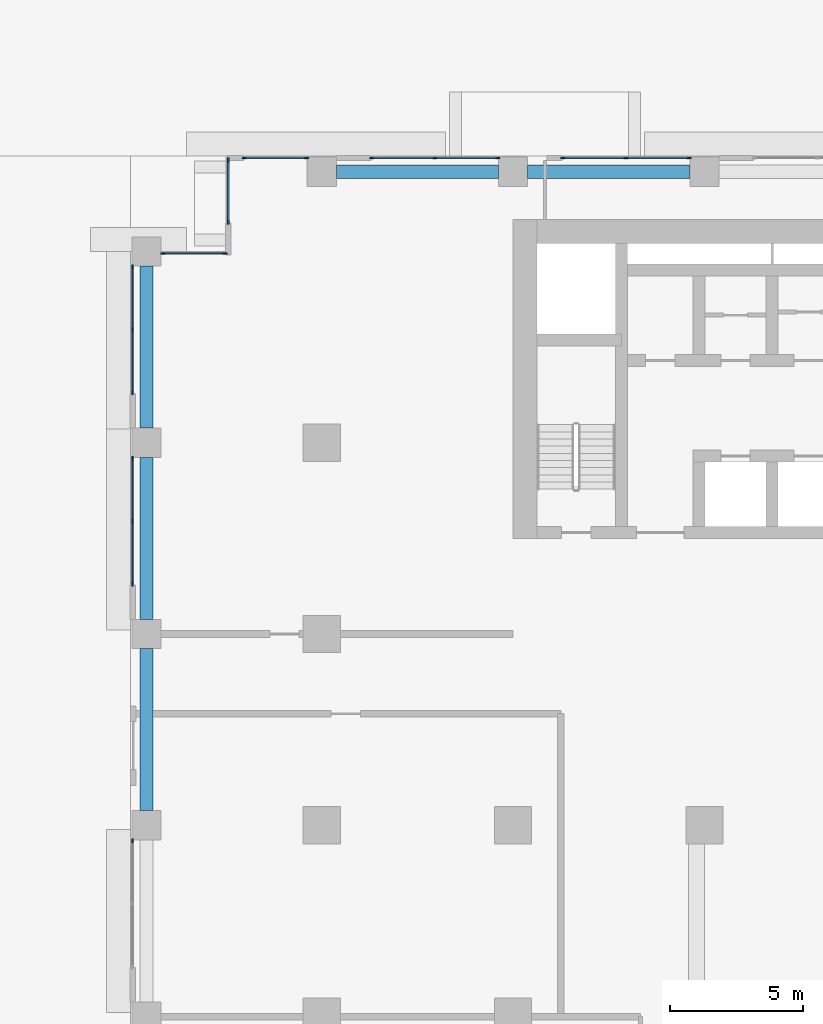
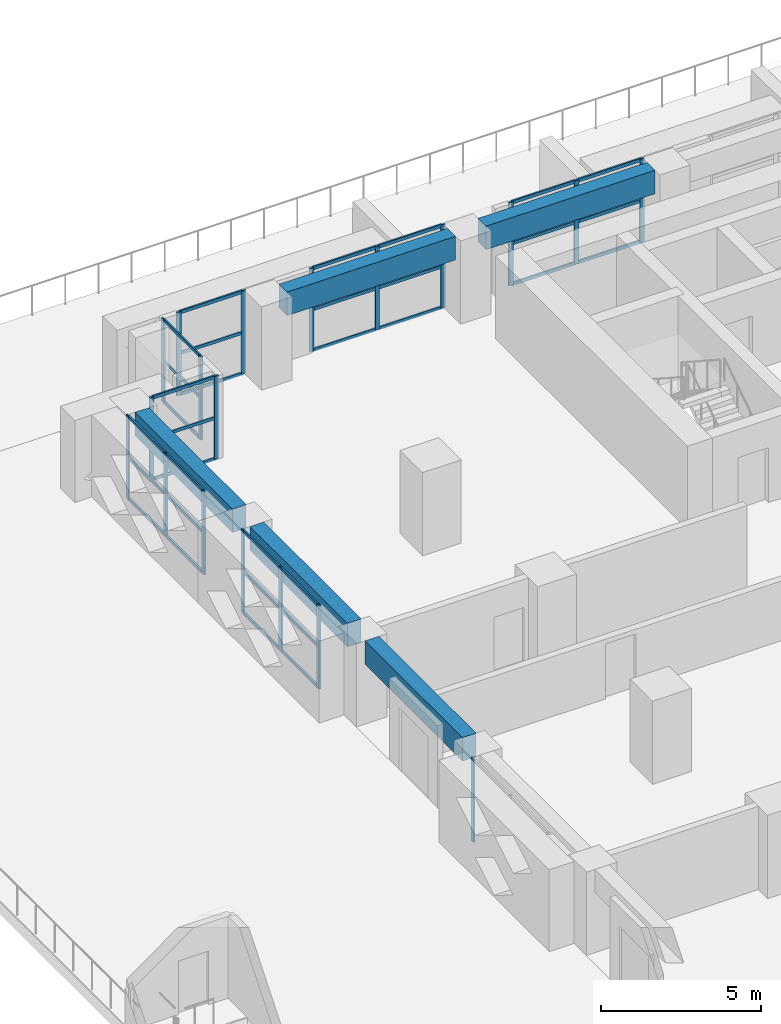
# One storey, part 5 of 24: 52 members, 5 beams, 8 elements without a shape of their own.
"""IFC4 building model written with IfcOpenShell, lengths in metres."""

from ifc_helpers import new_model, si_unit, direction, frame, origin, origin_2d, place, context, subcontext, project, spatial, rectangle, extrude, source, transform, mapped, material, layer, layer_set, material_profile, profile_set, type_object, element, aggregate, save


model = new_model("IFC4")

# Units and contexts
model_context = context("Model", 3, precision=1e-05, world=origin(), true_north=direction((0.0, 1.0)))
body_context = subcontext(model_context, "Body", "Model", "MODEL_VIEW")
ifc_project = project(units=[si_unit("LENGTHUNIT", "METRE"), si_unit("AREAUNIT", "SQUARE_METRE"), si_unit("VOLUMEUNIT", "CUBIC_METRE"), si_unit("PLANEANGLEUNIT", "RADIAN"), si_unit("MASSUNIT", "GRAM", prefix="KILO")], contexts=[model_context])

# Site, building, storey
site_placement = place(None, origin())
site = spatial("IfcSite", under=ifc_project, at=site_placement, CompositionType="ELEMENT")
building_placement = place(site_placement, origin())
building = spatial("IfcBuilding", under=site, at=building_placement, Name="Saffron Iwan Residences", CompositionType="ELEMENT")
storey_placement = place(building_placement, frame((0.0, 0.0, 27.0)))
storey = spatial("IfcBuildingStorey", under=building, at=storey_placement, Name="L05", CompositionType="ELEMENT", Elevation=27.0)

# Beams
ifc_material_1 = material(Name="Concrete C60/75", Category="concrete")
ifc_material_profile_1 = material_profile(ifc_material_1, rectangle(XDim=0.5, YDim=0.89990234375, at=origin_2d()), Name="RC 500x900")
ifc_profile_set_1 = profile_set([ifc_material_profile_1], Name="Concrete C60/75")
beam_type = type_object("IfcBeamType", Name="SPANDREL BEAM RC 500x900 C60/75 TOP 3180", PredefinedType="SPANDREL", material=ifc_profile_set_1)
shared_shape_1 = source(origin(), body_context, "Body", "SweptSolid", [
    extrude(rectangle(XDim=0.5, YDim=0.89990234375, at=origin_2d()), origin(), (0.0, 0.0, 1.0), 6.10009765625),
])
for number, where, z_axis, x_axis, name in (
    (1, (15.0, 55.75, 2.72998046875), (0.0, 1.0, 0.0), (-1.0, 0.0, 0.0), "Spandrel beam"),
    (2, (15.0, 62.949951171875, 2.72998046875), (0.0, 1.0, 0.0), (-1.0, 0.0, 0.0), "Spandrel beam"),
    (3, (15.0, 70.14990234375, 2.72998046875), (0.0, 1.0, 0.0), (-1.0, 0.0, 0.0), "Spandrel beam"),
    (4, (22.14990234375, 79.800048828125, 2.72998046875), (1.0, 0.0, 0.0), (0.0, 1.0, 0.0), "Spandrel beam"),
):
    element("IfcBeam", number, at=place(storey_placement, frame(where, z_axis=z_axis, x_axis=x_axis)), inside=storey, type_object=beam_type, Name=name, PredefinedType="SPANDREL", context=body_context, shape_type="MappedRepresentation", body=[
        mapped(shared_shape_1, transform((0.0, 0.0, 0.0))),
    ])
shared_shape_2 = source(origin(), body_context, "Body", "SweptSolid", [
    extrude(rectangle(XDim=0.5, YDim=0.89990234375, at=origin_2d()), origin(), (0.0, 0.0, 1.0), 6.099853515625),
])
beam_placement = place(storey_placement, frame((29.35009765625, 79.800048828125, 2.72998046875), z_axis=(1.0, 0.0, 0.0), x_axis=(0.0, 1.0, 0.0)))
element("IfcBeam", 5, at=beam_placement, inside=storey, type_object=beam_type, Name="Spandrel beam", PredefinedType="SPANDREL", context=body_context, shape_type="MappedRepresentation", body=[
    mapped(shared_shape_2, transform((0.0, 0.0, 0.0))),
])

# Curtain wall, members
ifc_material_2 = material(Name="Clear glass, laminated double glazed", Category="glass")
ifc_layer = layer(ifc_material_2, 0.14990234375)
ifc_layer_set = layer_set([ifc_layer], Name="Clear glass, laminated double glazed")
curtain_wall_type = type_object("IfcCurtainWallType", Name="CW-D GARDEN FLOOR GLAZING", PredefinedType="NOTDEFINED", material=ifc_layer_set)
curtain_wall_1_placement = place(storey_placement, origin())
curtain_wall_1 = element("IfcCurtainWall", 6, at=curtain_wall_1_placement, inside=storey, type_object=curtain_wall_type, Name="Glazing L05 F5.7", PredefinedType="NOTDEFINED")
ifc_material_3 = material(Name="Aluminium 6063-T6", Category="aluminium")
ifc_material_profile_2 = material_profile(ifc_material_3, rectangle(XDim=0.06005859375, YDim=0.159912109375, at=origin_2d()), Name="CW-D MULLION 60 x 160")
ifc_profile_set_2 = profile_set([ifc_material_profile_2], Name="Aluminium 6063-T6")
member_type_1 = type_object("IfcMemberType", Name="CW-D MULLION 60 x 160", PredefinedType="MULLION", material=ifc_profile_set_2)
shared_shape_3 = source(origin(), body_context, "Body", "SweptSolid", [
    extrude(rectangle(XDim=0.06005859375, YDim=0.159912109375, at=origin_2d()), origin(), (0.0, 0.0, 1.0), 3.179931640625),
])
member_1_placement = place(storey_placement, frame((35.419921875, 80.320068359375, 0.0), z_axis=(0.0, 0.0, 1.0), x_axis=(0.0, -1.0, 0.0)))
member_1 = element("IfcMember", 7, at=member_1_placement, type_object=member_type_1, Name="CW-D mullion 1", PredefinedType="MULLION", context=body_context, shape_type="MappedRepresentation", body=[
    mapped(shared_shape_3, transform((0.0, 0.0, 0.0))),
])
member_2_placement = place(storey_placement, frame((33.050048828125, 80.320068359375, 0.0), z_axis=(0.0, 0.0, 1.0), x_axis=(0.0, -1.0, 0.0)))
member_2 = element("IfcMember", 8, at=member_2_placement, type_object=member_type_1, Name="CW-D mullion 2", PredefinedType="MULLION", context=body_context, shape_type="MappedRepresentation", body=[
    mapped(shared_shape_3, transform((0.0, 0.0, 0.0))),
])
member_3_placement = place(storey_placement, frame((30.679931640625, 80.320068359375, 0.0), z_axis=(0.0, 0.0, 1.0), x_axis=(0.0, -1.0, 0.0)))
member_3 = element("IfcMember", 9, at=member_3_placement, type_object=member_type_1, Name="CW-D mullion 3", PredefinedType="MULLION", context=body_context, shape_type="MappedRepresentation", body=[
    mapped(shared_shape_3, transform((0.0, 0.0, 0.0))),
])

curtain_wall_2_placement = place(storey_placement, origin())
curtain_wall_2 = element("IfcCurtainWall", 10, at=curtain_wall_2_placement, inside=storey, type_object=curtain_wall_type, Name="Glazing L05 F5.8", PredefinedType="NOTDEFINED")
member_4_placement = place(storey_placement, frame((28.219970703125, 80.320068359375, 0.0), z_axis=(0.0, 0.0, 1.0), x_axis=(0.0, -1.0, 0.0)))
member_4 = element("IfcMember", 11, at=member_4_placement, type_object=member_type_1, Name="CW-D mullion 1", PredefinedType="MULLION", context=body_context, shape_type="MappedRepresentation", body=[
    mapped(shared_shape_3, transform((0.0, 0.0, 0.0))),
])
member_5_placement = place(storey_placement, frame((25.85009765625, 80.320068359375, 0.0), z_axis=(0.0, 0.0, 1.0), x_axis=(0.0, -1.0, 0.0)))
member_5 = element("IfcMember", 12, at=member_5_placement, type_object=member_type_1, Name="CW-D mullion 2", PredefinedType="MULLION", context=body_context, shape_type="MappedRepresentation", body=[
    mapped(shared_shape_3, transform((0.0, 0.0, 0.0))),
])
member_6_placement = place(storey_placement, frame((23.47998046875, 80.320068359375, 0.0), z_axis=(0.0, 0.0, 1.0), x_axis=(0.0, -1.0, 0.0)))
member_6 = element("IfcMember", 13, at=member_6_placement, type_object=member_type_1, Name="CW-D mullion 3", PredefinedType="MULLION", context=body_context, shape_type="MappedRepresentation", body=[
    mapped(shared_shape_3, transform((0.0, 0.0, 0.0))),
])

curtain_wall_3_placement = place(storey_placement, origin())
curtain_wall_3 = element("IfcCurtainWall", 14, at=curtain_wall_3_placement, inside=storey, type_object=curtain_wall_type, Name="Glazing L05 F5.9", PredefinedType="NOTDEFINED")
member_7_placement = place(storey_placement, frame((21.02001953125, 80.320068359375, 0.0), z_axis=(0.0, 0.0, 1.0), x_axis=(0.0, -1.0, 0.0)))
member_7 = element("IfcMember", 15, at=member_7_placement, type_object=member_type_1, Name="CW-D mullion 1", PredefinedType="MULLION", context=body_context, shape_type="MappedRepresentation", body=[
    mapped(shared_shape_3, transform((0.0, 0.0, 0.0))),
])
member_8_placement = place(storey_placement, frame((18.679931640625, 80.320068359375, 0.0), z_axis=(0.0, 0.0, 1.0), x_axis=(0.0, -1.0, 0.0)))
member_8 = element("IfcMember", 16, at=member_8_placement, type_object=member_type_1, Name="CW-D mullion 2", PredefinedType="MULLION", context=body_context, shape_type="MappedRepresentation", body=[
    mapped(shared_shape_3, transform((0.0, 0.0, 0.0))),
])

curtain_wall_4_placement = place(storey_placement, origin())
curtain_wall_4 = element("IfcCurtainWall", 17, at=curtain_wall_4_placement, inside=storey, type_object=curtain_wall_type, Name="Glazing L05 F6.0", PredefinedType="NOTDEFINED")
member_9_placement = place(storey_placement, frame((18.080078125, 80.239990234375, 0.0), z_axis=(0.0, 0.0, 1.0), x_axis=(1.0, 0.0, 0.0)))
member_9 = element("IfcMember", 18, at=member_9_placement, type_object=member_type_1, Name="CW-D mullion 1", PredefinedType="MULLION", context=body_context, shape_type="MappedRepresentation", body=[
    mapped(shared_shape_3, transform((0.0, 0.0, 0.0))),
])
member_10_placement = place(storey_placement, frame((18.080078125, 77.89990234375, 0.0), z_axis=(0.0, 0.0, 1.0), x_axis=(1.0, 0.0, 0.0)))
member_10 = element("IfcMember", 19, at=member_10_placement, type_object=member_type_1, Name="CW-D mullion 2", PredefinedType="MULLION", context=body_context, shape_type="MappedRepresentation", body=[
    mapped(shared_shape_3, transform((0.0, 0.0, 0.0))),
])

curtain_wall_5_placement = place(storey_placement, origin())
curtain_wall_5 = element("IfcCurtainWall", 20, at=curtain_wall_5_placement, inside=storey, type_object=curtain_wall_type, Name="Glazing L05 F7.0", PredefinedType="NOTDEFINED")
member_11_placement = place(storey_placement, frame((17.9599609375, 76.719970703125, 0.0), z_axis=(0.0, 0.0, 1.0), x_axis=(0.0, -1.0, 0.0)))
member_11 = element("IfcMember", 21, at=member_11_placement, type_object=member_type_1, Name="CW-D mullion 1", PredefinedType="MULLION", context=body_context, shape_type="MappedRepresentation", body=[
    mapped(shared_shape_3, transform((0.0, 0.0, 0.0))),
])
member_12_placement = place(storey_placement, frame((15.6201171875, 76.719970703125, 0.0), z_axis=(0.0, 0.0, 1.0), x_axis=(0.0, -1.0, 0.0)))
member_12 = element("IfcMember", 22, at=member_12_placement, type_object=member_type_1, Name="CW-D mullion 2", PredefinedType="MULLION", context=body_context, shape_type="MappedRepresentation", body=[
    mapped(shared_shape_3, transform((0.0, 0.0, 0.0))),
])

curtain_wall_6_placement = place(storey_placement, origin())
curtain_wall_6 = element("IfcCurtainWall", 23, at=curtain_wall_6_placement, inside=storey, type_object=curtain_wall_type, Name="Glazing L05 F8.0", PredefinedType="NOTDEFINED")
member_13_placement = place(storey_placement, frame((14.47998046875, 76.219970703125, 0.0), z_axis=(0.0, 0.0, 1.0), x_axis=(1.0, 0.0, 0.0)))
member_13 = element("IfcMember", 24, at=member_13_placement, type_object=member_type_1, Name="CW-D mullion 1", PredefinedType="MULLION", context=body_context, shape_type="MappedRepresentation", body=[
    mapped(shared_shape_3, transform((0.0, 0.0, 0.0))),
])
member_14_placement = place(storey_placement, frame((14.47998046875, 73.85009765625, 0.0), z_axis=(0.0, 0.0, 1.0), x_axis=(1.0, 0.0, 0.0)))
member_14 = element("IfcMember", 25, at=member_14_placement, type_object=member_type_1, Name="CW-D mullion 2", PredefinedType="MULLION", context=body_context, shape_type="MappedRepresentation", body=[
    mapped(shared_shape_3, transform((0.0, 0.0, 0.0))),
])
member_15_placement = place(storey_placement, frame((14.47998046875, 71.47998046875, 0.0), z_axis=(0.0, 0.0, 1.0), x_axis=(1.0, 0.0, 0.0)))
member_15 = element("IfcMember", 26, at=member_15_placement, type_object=member_type_1, Name="CW-D mullion 3", PredefinedType="MULLION", context=body_context, shape_type="MappedRepresentation", body=[
    mapped(shared_shape_3, transform((0.0, 0.0, 0.0))),
])

curtain_wall_7_placement = place(storey_placement, origin())
curtain_wall_7 = element("IfcCurtainWall", 27, at=curtain_wall_7_placement, inside=storey, type_object=curtain_wall_type, Name="Glazing L05 F8.1", PredefinedType="NOTDEFINED")
member_16_placement = place(storey_placement, frame((14.47998046875, 69.02001953125, 0.0), z_axis=(0.0, 0.0, 1.0), x_axis=(1.0, 0.0, 0.0)))
member_16 = element("IfcMember", 28, at=member_16_placement, type_object=member_type_1, Name="CW-D mullion 1", PredefinedType="MULLION", context=body_context, shape_type="MappedRepresentation", body=[
    mapped(shared_shape_3, transform((0.0, 0.0, 0.0))),
])
member_17_placement = place(storey_placement, frame((14.47998046875, 66.64990234375, 0.0), z_axis=(0.0, 0.0, 1.0), x_axis=(1.0, 0.0, 0.0)))
member_17 = element("IfcMember", 29, at=member_17_placement, type_object=member_type_1, Name="CW-D mullion 2", PredefinedType="MULLION", context=body_context, shape_type="MappedRepresentation", body=[
    mapped(shared_shape_3, transform((0.0, 0.0, 0.0))),
])
member_18_placement = place(storey_placement, frame((14.47998046875, 64.280029296875, 0.0), z_axis=(0.0, 0.0, 1.0), x_axis=(1.0, 0.0, 0.0)))
member_18 = element("IfcMember", 30, at=member_18_placement, type_object=member_type_1, Name="CW-D mullion 3", PredefinedType="MULLION", context=body_context, shape_type="MappedRepresentation", body=[
    mapped(shared_shape_3, transform((0.0, 0.0, 0.0))),
])

# Curtain wall, member
curtain_wall_8_placement = place(storey_placement, origin())
curtain_wall_8 = element("IfcCurtainWall", 31, at=curtain_wall_8_placement, inside=storey, type_object=curtain_wall_type, Name="Glazing L05 F8.3", PredefinedType="NOTDEFINED")
member_19_placement = place(storey_placement, frame((14.47998046875, 54.6201171875, 0.0), z_axis=(0.0, 0.0, 1.0), x_axis=(1.0, 0.0, 0.0)))
member_19 = element("IfcMember", 32, at=member_19_placement, type_object=member_type_1, Name="CW-D mullion 1", PredefinedType="MULLION", context=body_context, shape_type="MappedRepresentation", body=[
    mapped(shared_shape_3, transform((0.0, 0.0, 0.0))),
])
aggregate(curtain_wall_8, [member_19])

# Member
ifc_material_profile_3 = material_profile(ifc_material_3, rectangle(XDim=0.06005859375, YDim=0.1201171875, at=origin_2d()), Name="CW-D TRANSOM 60 x 120")
ifc_profile_set_3 = profile_set([ifc_material_profile_3], Name="Aluminium 6063-T6")
member_type_2 = type_object("IfcMemberType", Name="CW-D TRANSOM 60 x 120", PredefinedType="USERDEFINED", material=ifc_profile_set_3)
shared_shape_4 = source(origin(), body_context, "Body", "SweptSolid", [
    extrude(rectangle(XDim=0.06005859375, YDim=0.1201171875, at=origin_2d()), origin(), (0.0, 0.0, 1.0), 2.280029296875),
])
member_20_placement = place(storey_placement, frame((20.989990234375, 80.320068359375, 0.030029296875), z_axis=(-1.0, 0.0, 0.0), x_axis=(0.0, -1.0, 0.0)))
member_20 = element("IfcMember", 33, at=member_20_placement, type_object=member_type_2, Name="CW-D transom 1.1", ObjectType="TRANSOM", PredefinedType="USERDEFINED", context=body_context, shape_type="MappedRepresentation", body=[
    mapped(shared_shape_4, transform((0.0, 0.0, 0.0))),
])

member_21_placement = place(storey_placement, frame((20.989990234375, 80.320068359375, 1.590087890625), z_axis=(-1.0, 0.0, 0.0), x_axis=(0.0, -1.0, 0.0)))
member_21 = element("IfcMember", 34, at=member_21_placement, type_object=member_type_2, Name="CW-D transom 1.2", ObjectType="TRANSOM", PredefinedType="USERDEFINED", context=body_context, shape_type="MappedRepresentation", body=[
    mapped(shared_shape_4, transform((0.0, 0.0, 0.0))),
])

member_22_placement = place(storey_placement, frame((20.989990234375, 80.320068359375, 3.14990234375), z_axis=(-1.0, 0.0, 0.0), x_axis=(0.0, -1.0, 0.0)))
member_22 = element("IfcMember", 35, at=member_22_placement, type_object=member_type_2, Name="CW-D transom 1.3", ObjectType="TRANSOM", PredefinedType="USERDEFINED", context=body_context, shape_type="MappedRepresentation", body=[
    mapped(shared_shape_4, transform((0.0, 0.0, 0.0))),
])

aggregate(curtain_wall_3, [member_7, member_8, member_20, member_21, member_22])

member_23_placement = place(storey_placement, frame((18.080078125, 80.2099609375, 0.030029296875), z_axis=(0.0, -1.0, 0.0), x_axis=(1.0, 0.0, 0.0)))
member_23 = element("IfcMember", 36, at=member_23_placement, type_object=member_type_2, Name="CW-D transom 1.1", ObjectType="TRANSOM", PredefinedType="USERDEFINED", context=body_context, shape_type="MappedRepresentation", body=[
    mapped(shared_shape_4, transform((0.0, 0.0, 0.0))),
])

member_24_placement = place(storey_placement, frame((18.080078125, 80.2099609375, 1.590087890625), z_axis=(0.0, -1.0, 0.0), x_axis=(1.0, 0.0, 0.0)))
member_24 = element("IfcMember", 37, at=member_24_placement, type_object=member_type_2, Name="CW-D transom 1.2", ObjectType="TRANSOM", PredefinedType="USERDEFINED", context=body_context, shape_type="MappedRepresentation", body=[
    mapped(shared_shape_4, transform((0.0, 0.0, 0.0))),
])

member_25_placement = place(storey_placement, frame((18.080078125, 80.2099609375, 3.14990234375), z_axis=(0.0, -1.0, 0.0), x_axis=(1.0, 0.0, 0.0)))
member_25 = element("IfcMember", 38, at=member_25_placement, type_object=member_type_2, Name="CW-D transom 1.3", ObjectType="TRANSOM", PredefinedType="USERDEFINED", context=body_context, shape_type="MappedRepresentation", body=[
    mapped(shared_shape_4, transform((0.0, 0.0, 0.0))),
])

aggregate(curtain_wall_4, [member_9, member_10, member_23, member_24, member_25])

member_26_placement = place(storey_placement, frame((17.929931640625, 76.719970703125, 0.030029296875), z_axis=(-1.0, 0.0, 0.0), x_axis=(0.0, -1.0, 0.0)))
member_26 = element("IfcMember", 39, at=member_26_placement, type_object=member_type_2, Name="CW-D transom 1.1", ObjectType="TRANSOM", PredefinedType="USERDEFINED", context=body_context, shape_type="MappedRepresentation", body=[
    mapped(shared_shape_4, transform((0.0, 0.0, 0.0))),
])

member_27_placement = place(storey_placement, frame((17.929931640625, 76.719970703125, 1.590087890625), z_axis=(-1.0, 0.0, 0.0), x_axis=(0.0, -1.0, 0.0)))
member_27 = element("IfcMember", 40, at=member_27_placement, type_object=member_type_2, Name="CW-D transom 1.2", ObjectType="TRANSOM", PredefinedType="USERDEFINED", context=body_context, shape_type="MappedRepresentation", body=[
    mapped(shared_shape_4, transform((0.0, 0.0, 0.0))),
])

member_28_placement = place(storey_placement, frame((17.929931640625, 76.719970703125, 3.14990234375), z_axis=(-1.0, 0.0, 0.0), x_axis=(0.0, -1.0, 0.0)))
member_28 = element("IfcMember", 41, at=member_28_placement, type_object=member_type_2, Name="CW-D transom 1.3", ObjectType="TRANSOM", PredefinedType="USERDEFINED", context=body_context, shape_type="MappedRepresentation", body=[
    mapped(shared_shape_4, transform((0.0, 0.0, 0.0))),
])

aggregate(curtain_wall_5, [member_11, member_12, member_26, member_27, member_28])

shared_shape_5 = source(origin(), body_context, "Body", "SweptSolid", [
    extrude(rectangle(XDim=0.06005859375, YDim=0.1201171875, at=origin_2d()), origin(), (0.0, 0.0, 1.0), 2.31005859375),
])
member_29_placement = place(storey_placement, frame((33.02001953125, 80.320068359375, 0.030029296875), z_axis=(-1.0, 0.0, 0.0), x_axis=(0.0, -1.0, 0.0)))
member_29 = element("IfcMember", 42, at=member_29_placement, type_object=member_type_2, Name="CW-D transom 2.1", ObjectType="TRANSOM", PredefinedType="USERDEFINED", context=body_context, shape_type="MappedRepresentation", body=[
    mapped(shared_shape_5, transform((0.0, 0.0, 0.0))),
])

member_30_placement = place(storey_placement, frame((33.02001953125, 80.320068359375, 1.590087890625), z_axis=(-1.0, 0.0, 0.0), x_axis=(0.0, -1.0, 0.0)))
member_30 = element("IfcMember", 43, at=member_30_placement, type_object=member_type_2, Name="CW-D transom 2.2", ObjectType="TRANSOM", PredefinedType="USERDEFINED", context=body_context, shape_type="MappedRepresentation", body=[
    mapped(shared_shape_5, transform((0.0, 0.0, 0.0))),
])

member_31_placement = place(storey_placement, frame((33.02001953125, 80.320068359375, 3.14990234375), z_axis=(-1.0, 0.0, 0.0), x_axis=(0.0, -1.0, 0.0)))
member_31 = element("IfcMember", 44, at=member_31_placement, type_object=member_type_2, Name="CW-D transom 2.3", ObjectType="TRANSOM", PredefinedType="USERDEFINED", context=body_context, shape_type="MappedRepresentation", body=[
    mapped(shared_shape_5, transform((0.0, 0.0, 0.0))),
])

member_32_placement = place(storey_placement, frame((28.18994140625, 80.320068359375, 0.030029296875), z_axis=(-1.0, 0.0, 0.0), x_axis=(0.0, -1.0, 0.0)))
member_32 = element("IfcMember", 45, at=member_32_placement, type_object=member_type_2, Name="CW-D transom 1.1", ObjectType="TRANSOM", PredefinedType="USERDEFINED", context=body_context, shape_type="MappedRepresentation", body=[
    mapped(shared_shape_5, transform((0.0, 0.0, 0.0))),
])

member_33_placement = place(storey_placement, frame((28.18994140625, 80.320068359375, 1.590087890625), z_axis=(-1.0, 0.0, 0.0), x_axis=(0.0, -1.0, 0.0)))
member_33 = element("IfcMember", 46, at=member_33_placement, type_object=member_type_2, Name="CW-D transom 1.2", ObjectType="TRANSOM", PredefinedType="USERDEFINED", context=body_context, shape_type="MappedRepresentation", body=[
    mapped(shared_shape_5, transform((0.0, 0.0, 0.0))),
])

member_34_placement = place(storey_placement, frame((28.18994140625, 80.320068359375, 3.14990234375), z_axis=(-1.0, 0.0, 0.0), x_axis=(0.0, -1.0, 0.0)))
member_34 = element("IfcMember", 47, at=member_34_placement, type_object=member_type_2, Name="CW-D transom 1.3", ObjectType="TRANSOM", PredefinedType="USERDEFINED", context=body_context, shape_type="MappedRepresentation", body=[
    mapped(shared_shape_5, transform((0.0, 0.0, 0.0))),
])

member_35_placement = place(storey_placement, frame((25.820068359375, 80.320068359375, 0.030029296875), z_axis=(-1.0, 0.0, 0.0), x_axis=(0.0, -1.0, 0.0)))
member_35 = element("IfcMember", 48, at=member_35_placement, type_object=member_type_2, Name="CW-D transom 2.1", ObjectType="TRANSOM", PredefinedType="USERDEFINED", context=body_context, shape_type="MappedRepresentation", body=[
    mapped(shared_shape_5, transform((0.0, 0.0, 0.0))),
])

member_36_placement = place(storey_placement, frame((25.820068359375, 80.320068359375, 1.590087890625), z_axis=(-1.0, 0.0, 0.0), x_axis=(0.0, -1.0, 0.0)))
member_36 = element("IfcMember", 49, at=member_36_placement, type_object=member_type_2, Name="CW-D transom 2.2", ObjectType="TRANSOM", PredefinedType="USERDEFINED", context=body_context, shape_type="MappedRepresentation", body=[
    mapped(shared_shape_5, transform((0.0, 0.0, 0.0))),
])

member_37_placement = place(storey_placement, frame((25.820068359375, 80.320068359375, 3.14990234375), z_axis=(-1.0, 0.0, 0.0), x_axis=(0.0, -1.0, 0.0)))
member_37 = element("IfcMember", 50, at=member_37_placement, type_object=member_type_2, Name="CW-D transom 2.3", ObjectType="TRANSOM", PredefinedType="USERDEFINED", context=body_context, shape_type="MappedRepresentation", body=[
    mapped(shared_shape_5, transform((0.0, 0.0, 0.0))),
])

aggregate(curtain_wall_2, [member_4, member_5, member_6, member_32, member_33, member_34, member_35, member_36, member_37])

member_38_placement = place(storey_placement, frame((14.47998046875, 76.18994140625, 0.030029296875), z_axis=(0.0, -1.0, 0.0), x_axis=(1.0, 0.0, 0.0)))
member_38 = element("IfcMember", 51, at=member_38_placement, type_object=member_type_2, Name="CW-D transom 1.1", ObjectType="TRANSOM", PredefinedType="USERDEFINED", context=body_context, shape_type="MappedRepresentation", body=[
    mapped(shared_shape_5, transform((0.0, 0.0, 0.0))),
])

member_39_placement = place(storey_placement, frame((14.47998046875, 76.18994140625, 1.590087890625), z_axis=(0.0, -1.0, 0.0), x_axis=(1.0, 0.0, 0.0)))
member_39 = element("IfcMember", 52, at=member_39_placement, type_object=member_type_2, Name="CW-D transom 1.2", ObjectType="TRANSOM", PredefinedType="USERDEFINED", context=body_context, shape_type="MappedRepresentation", body=[
    mapped(shared_shape_5, transform((0.0, 0.0, 0.0))),
])

member_40_placement = place(storey_placement, frame((14.47998046875, 76.18994140625, 3.14990234375), z_axis=(0.0, -1.0, 0.0), x_axis=(1.0, 0.0, 0.0)))
member_40 = element("IfcMember", 53, at=member_40_placement, type_object=member_type_2, Name="CW-D transom 1.3", ObjectType="TRANSOM", PredefinedType="USERDEFINED", context=body_context, shape_type="MappedRepresentation", body=[
    mapped(shared_shape_5, transform((0.0, 0.0, 0.0))),
])

member_41_placement = place(storey_placement, frame((14.47998046875, 73.820068359375, 0.030029296875), z_axis=(0.0, -1.0, 0.0), x_axis=(1.0, 0.0, 0.0)))
member_41 = element("IfcMember", 54, at=member_41_placement, type_object=member_type_2, Name="CW-D transom 2.1", ObjectType="TRANSOM", PredefinedType="USERDEFINED", context=body_context, shape_type="MappedRepresentation", body=[
    mapped(shared_shape_5, transform((0.0, 0.0, 0.0))),
])

member_42_placement = place(storey_placement, frame((14.47998046875, 73.820068359375, 1.590087890625), z_axis=(0.0, -1.0, 0.0), x_axis=(1.0, 0.0, 0.0)))
member_42 = element("IfcMember", 55, at=member_42_placement, type_object=member_type_2, Name="CW-D transom 2.2", ObjectType="TRANSOM", PredefinedType="USERDEFINED", context=body_context, shape_type="MappedRepresentation", body=[
    mapped(shared_shape_5, transform((0.0, 0.0, 0.0))),
])

member_43_placement = place(storey_placement, frame((14.47998046875, 73.820068359375, 3.14990234375), z_axis=(0.0, -1.0, 0.0), x_axis=(1.0, 0.0, 0.0)))
member_43 = element("IfcMember", 56, at=member_43_placement, type_object=member_type_2, Name="CW-D transom 2.3", ObjectType="TRANSOM", PredefinedType="USERDEFINED", context=body_context, shape_type="MappedRepresentation", body=[
    mapped(shared_shape_5, transform((0.0, 0.0, 0.0))),
])

aggregate(curtain_wall_6, [member_13, member_14, member_15, member_38, member_39, member_40, member_41, member_42, member_43])

member_44_placement = place(storey_placement, frame((14.47998046875, 68.989990234375, 0.030029296875), z_axis=(0.0, -1.0, 0.0), x_axis=(1.0, 0.0, 0.0)))
member_44 = element("IfcMember", 57, at=member_44_placement, type_object=member_type_2, Name="CW-D transom 1.1", ObjectType="TRANSOM", PredefinedType="USERDEFINED", context=body_context, shape_type="MappedRepresentation", body=[
    mapped(shared_shape_5, transform((0.0, 0.0, 0.0))),
])

member_45_placement = place(storey_placement, frame((14.47998046875, 68.989990234375, 1.590087890625), z_axis=(0.0, -1.0, 0.0), x_axis=(1.0, 0.0, 0.0)))
member_45 = element("IfcMember", 58, at=member_45_placement, type_object=member_type_2, Name="CW-D transom 1.2", ObjectType="TRANSOM", PredefinedType="USERDEFINED", context=body_context, shape_type="MappedRepresentation", body=[
    mapped(shared_shape_5, transform((0.0, 0.0, 0.0))),
])

member_46_placement = place(storey_placement, frame((14.47998046875, 68.989990234375, 3.14990234375), z_axis=(0.0, -1.0, 0.0), x_axis=(1.0, 0.0, 0.0)))
member_46 = element("IfcMember", 59, at=member_46_placement, type_object=member_type_2, Name="CW-D transom 1.3", ObjectType="TRANSOM", PredefinedType="USERDEFINED", context=body_context, shape_type="MappedRepresentation", body=[
    mapped(shared_shape_5, transform((0.0, 0.0, 0.0))),
])

member_47_placement = place(storey_placement, frame((14.47998046875, 66.6201171875, 0.030029296875), z_axis=(0.0, -1.0, 0.0), x_axis=(1.0, 0.0, 0.0)))
member_47 = element("IfcMember", 60, at=member_47_placement, type_object=member_type_2, Name="CW-D transom 2.1", ObjectType="TRANSOM", PredefinedType="USERDEFINED", context=body_context, shape_type="MappedRepresentation", body=[
    mapped(shared_shape_5, transform((0.0, 0.0, 0.0))),
])

member_48_placement = place(storey_placement, frame((14.47998046875, 66.6201171875, 1.590087890625), z_axis=(0.0, -1.0, 0.0), x_axis=(1.0, 0.0, 0.0)))
member_48 = element("IfcMember", 61, at=member_48_placement, type_object=member_type_2, Name="CW-D transom 2.2", ObjectType="TRANSOM", PredefinedType="USERDEFINED", context=body_context, shape_type="MappedRepresentation", body=[
    mapped(shared_shape_5, transform((0.0, 0.0, 0.0))),
])

member_49_placement = place(storey_placement, frame((14.47998046875, 66.6201171875, 3.14990234375), z_axis=(0.0, -1.0, 0.0), x_axis=(1.0, 0.0, 0.0)))
member_49 = element("IfcMember", 62, at=member_49_placement, type_object=member_type_2, Name="CW-D transom 2.3", ObjectType="TRANSOM", PredefinedType="USERDEFINED", context=body_context, shape_type="MappedRepresentation", body=[
    mapped(shared_shape_5, transform((0.0, 0.0, 0.0))),
])

aggregate(curtain_wall_7, [member_16, member_17, member_18, member_44, member_45, member_46, member_47, member_48, member_49])

shared_shape_6 = source(origin(), body_context, "Body", "SweptSolid", [
    extrude(rectangle(XDim=0.06005859375, YDim=0.1201171875, at=origin_2d()), origin(), (0.0, 0.0, 1.0), 2.309814453125),
])
member_50_placement = place(storey_placement, frame((35.389892578125, 80.320068359375, 0.030029296875), z_axis=(-1.0, 0.0, 0.0), x_axis=(0.0, -1.0, 0.0)))
member_50 = element("IfcMember", 63, at=member_50_placement, type_object=member_type_2, Name="CW-D transom 1.1", ObjectType="TRANSOM", PredefinedType="USERDEFINED", context=body_context, shape_type="MappedRepresentation", body=[
    mapped(shared_shape_6, transform((0.0, 0.0, 0.0))),
])

member_51_placement = place(storey_placement, frame((35.389892578125, 80.320068359375, 1.590087890625), z_axis=(-1.0, 0.0, 0.0), x_axis=(0.0, -1.0, 0.0)))
member_51 = element("IfcMember", 64, at=member_51_placement, type_object=member_type_2, Name="CW-D transom 1.2", ObjectType="TRANSOM", PredefinedType="USERDEFINED", context=body_context, shape_type="MappedRepresentation", body=[
    mapped(shared_shape_6, transform((0.0, 0.0, 0.0))),
])

member_52_placement = place(storey_placement, frame((35.389892578125, 80.320068359375, 3.14990234375), z_axis=(-1.0, 0.0, 0.0), x_axis=(0.0, -1.0, 0.0)))
member_52 = element("IfcMember", 65, at=member_52_placement, type_object=member_type_2, Name="CW-D transom 1.3", ObjectType="TRANSOM", PredefinedType="USERDEFINED", context=body_context, shape_type="MappedRepresentation", body=[
    mapped(shared_shape_6, transform((0.0, 0.0, 0.0))),
])

aggregate(curtain_wall_1, [member_1, member_2, member_3, member_50, member_51, member_52, member_29, member_30, member_31])

save(model, "model.ifc")
